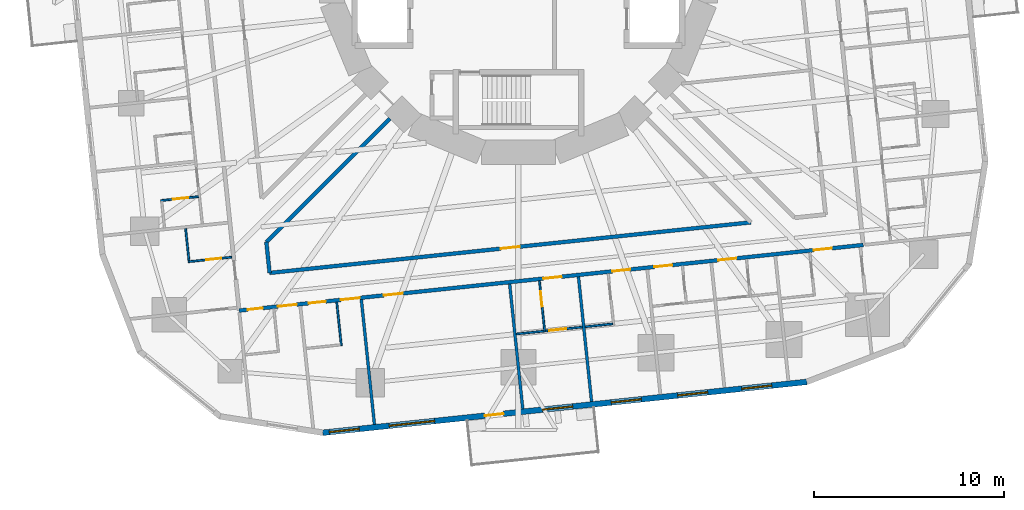
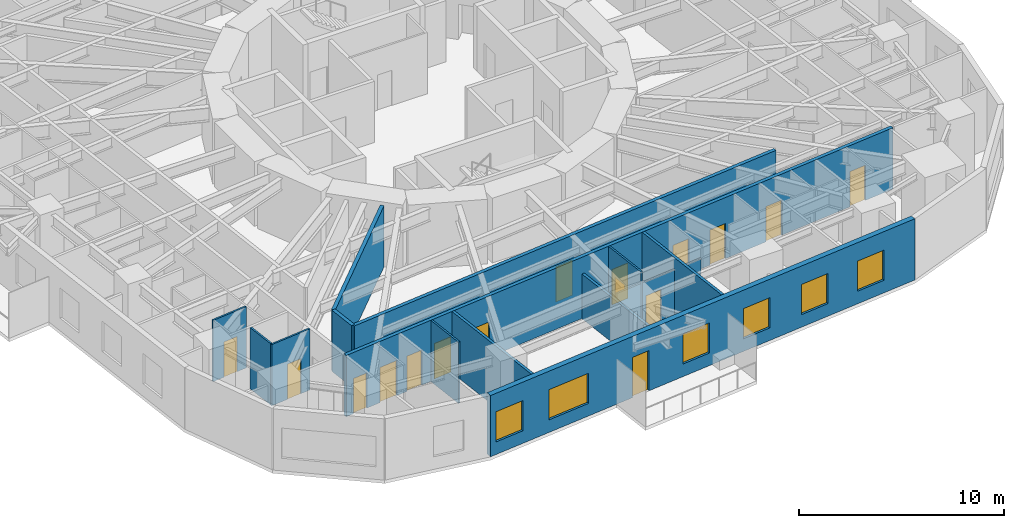
# One storey, part 5 of 15: 16 doors, 16 walls, 6 windows, 22 openings.
"""IFC4 building model written with IfcOpenShell, lengths in metres."""

from ifc_helpers import new_model, si_unit, direction, frame, frame_2d, origin, place, context, subcontext, project, spatial, rectangle, extrude, material, layer, layer_set, type_object, element, fill, save


model = new_model("IFC4")

# Units and contexts
model_context = context("Model", 3, precision=1e-05, world=origin(), true_north=direction((0.0, 1.0)))
body_context = subcontext(model_context, "Body", "Model", "MODEL_VIEW")
ifc_project = project(units=[si_unit("LENGTHUNIT", "METRE"), si_unit("AREAUNIT", "SQUARE_METRE"), si_unit("VOLUMEUNIT", "CUBIC_METRE"), si_unit("PLANEANGLEUNIT", "RADIAN"), si_unit("MASSUNIT", "GRAM", prefix="KILO")], contexts=[model_context])

# Site, building, storey
site_placement = place(None, origin())
site = spatial("IfcSite", under=ifc_project, at=site_placement, CompositionType="ELEMENT")
building_placement = place(site_placement, origin())
building = spatial("IfcBuilding", under=site, at=building_placement, Name="Nakasero Lantern House", CompositionType="ELEMENT")
storey_placement = place(building_placement, frame((0.0, 0.0, 68.199951171875)))
storey = spatial("IfcBuildingStorey", under=building, at=storey_placement, Name="L16", CompositionType="ELEMENT", Elevation=68.199951171875)

# Wall, openings, doors
ifc_material_1 = material(Name="Blockwork", Category="masonry")
ifc_layer_1 = layer(ifc_material_1, 0.199951171875)
ifc_layer_set_1 = layer_set([ifc_layer_1], Name="Corridor wall 200")
wall_type_1 = type_object("IfcWallType", Name="Corridor wall 200", PredefinedType="PARTITIONING", material=ifc_layer_set_1)
wall_1_placement = place(storey_placement, frame((-14.684814453125, -18.13427734375, 0.0), z_axis=(0.0, 0.0, 1.0), x_axis=(0.994521777723, 0.10452958258, 0.0)))
wall_1 = element("IfcWall", 1, at=wall_1_placement, inside=storey, type_object=wall_type_1, Name="Corridor wall L16 CW3", PredefinedType="PARTITIONING", context=body_context, shape_type="SweptSolid", body=[
    extrude(rectangle(XDim=32.999755859375, YDim=0.199951171875, at=frame_2d((16.5, 0.0))), origin(), (0.0, 0.0, 1.0), 3.650146484375),
])
opening_1_placement = place(wall_1_placement, frame((0.449951171875, 0.0, 0.0)))
opening_1 = element("IfcOpeningElement", 2, at=opening_1_placement, cuts=wall_1, Name="Opening D15", PredefinedType="OPENING", context=body_context, shape_type="SweptSolid", body=[
    extrude(rectangle(XDim=0.800048828125, YDim=2.10009765625, at=frame_2d((0.39990234375, 1.050048828125))), frame((0.0, 0.119873046875, 0.0), z_axis=(0.0, -1.0, 0.0), x_axis=(1.0, 0.0, 0.0)), (0.0, 0.0, 1.0), 0.239990234375),
])
opening_2_placement = place(wall_1_placement, frame((2.050048828125, 0.0, 0.0)))
opening_2 = element("IfcOpeningElement", 3, at=opening_2_placement, cuts=wall_1, Name="Opening D07", PredefinedType="OPENING", context=body_context, shape_type="SweptSolid", body=[
    extrude(rectangle(XDim=1.0, YDim=2.10009765625, at=frame_2d((0.5, 1.050048828125))), frame((0.0, 0.119873046875, 0.0), z_axis=(0.0, -1.0, 0.0), x_axis=(1.0, 0.0, 0.0)), (0.0, 0.0, 1.0), 0.239990234375),
])
opening_3_placement = place(wall_1_placement, frame((3.67529296875, 0.0, 0.0)))
opening_3 = element("IfcOpeningElement", 4, at=opening_3_placement, cuts=wall_1, Name="Opening D16", PredefinedType="OPENING", context=body_context, shape_type="SweptSolid", body=[
    extrude(rectangle(XDim=0.89990234375, YDim=2.10009765625, at=frame_2d((0.449951171875, 1.050048828125))), frame((0.0, 0.119873046875, 0.0), z_axis=(0.0, -1.0, 0.0), x_axis=(1.0, 0.0, 0.0)), (0.0, 0.0, 1.0), 0.239990234375),
])
opening_4_placement = place(wall_1_placement, frame((5.375244140625, 0.0, 0.0)))
opening_4 = element("IfcOpeningElement", 5, at=opening_4_placement, cuts=wall_1, Name="Opening D07", PredefinedType="OPENING", context=body_context, shape_type="SweptSolid", body=[
    extrude(rectangle(XDim=1.0, YDim=2.10009765625, at=frame_2d((0.5, 1.050048828125))), frame((0.0, 0.119873046875, 0.0), z_axis=(0.0, -1.0, 0.0), x_axis=(1.0, 0.0, 0.0)), (0.0, 0.0, 1.0), 0.239990234375),
])
opening_5_placement = place(wall_1_placement, frame((16.0927734375, 0.0, 0.0)))
opening_5 = element("IfcOpeningElement", 6, at=opening_5_placement, cuts=wall_1, Name="Opening D01", PredefinedType="OPENING", context=body_context, shape_type="SweptSolid", body=[
    extrude(rectangle(XDim=0.949951171875, YDim=2.10009765625, at=frame_2d((0.47509765625, 1.050048828125))), frame((0.0, 0.119873046875, 0.0), z_axis=(0.0, -1.0, 0.0), x_axis=(1.0, 0.0, 0.0)), (0.0, 0.0, 1.0), 0.239990234375),
])
opening_6_placement = place(wall_1_placement, frame((19.7314453125, 0.0, 0.0)))
opening_6 = element("IfcOpeningElement", 7, at=opening_6_placement, cuts=wall_1, Name="Opening D01", PredefinedType="OPENING", context=body_context, shape_type="SweptSolid", body=[
    extrude(rectangle(XDim=0.949951171875, YDim=2.10009765625, at=frame_2d((0.47509765625, 1.050048828125))), frame((0.0, 0.119873046875, 0.0), z_axis=(0.0, -1.0, 0.0), x_axis=(1.0, 0.0, 0.0)), (0.0, 0.0, 1.0), 0.239990234375),
])
opening_7_placement = place(wall_1_placement, frame((21.945068359375, 0.0, 0.0)))
opening_7 = element("IfcOpeningElement", 8, at=opening_7_placement, cuts=wall_1, Name="Opening D01", PredefinedType="OPENING", context=body_context, shape_type="SweptSolid", body=[
    extrude(rectangle(XDim=0.949951171875, YDim=2.10009765625, at=frame_2d((0.47509765625, 1.050048828125))), frame((0.0, 0.119873046875, 0.0), z_axis=(0.0, -1.0, 0.0), x_axis=(1.0, 0.0, 0.0)), (0.0, 0.0, 1.0), 0.239990234375),
])
opening_8_placement = place(wall_1_placement, frame((25.33056640625, 0.0, 0.0)))
opening_8 = element("IfcOpeningElement", 9, at=opening_8_placement, cuts=wall_1, Name="Opening D01", PredefinedType="OPENING", context=body_context, shape_type="SweptSolid", body=[
    extrude(rectangle(XDim=0.949951171875, YDim=2.10009765625, at=frame_2d((0.47509765625, 1.050048828125))), frame((0.0, 0.119873046875, 0.0), z_axis=(0.0, -1.0, 0.0), x_axis=(1.0, 0.0, 0.0)), (0.0, 0.0, 1.0), 0.239990234375),
])
opening_9_placement = place(wall_1_placement, frame((30.39111328125, 0.0, 0.0)))
opening_9 = element("IfcOpeningElement", 10, at=opening_9_placement, cuts=wall_1, Name="Opening D01", PredefinedType="OPENING", context=body_context, shape_type="SweptSolid", body=[
    extrude(rectangle(XDim=0.949951171875, YDim=2.10009765625, at=frame_2d((0.47509765625, 1.050048828125))), frame((0.0, 0.119873046875, 0.0), z_axis=(0.0, -1.0, 0.0), x_axis=(1.0, 0.0, 0.0)), (0.0, 0.0, 1.0), 0.239990234375),
])
opening_10_placement = place(wall_1_placement, frame((7.650634765625, 0.0, 0.0)))
opening_10 = element("IfcOpeningElement", 11, at=opening_10_placement, cuts=wall_1, Name="Opening D03", PredefinedType="OPENING", context=body_context, shape_type="SweptSolid", body=[
    extrude(rectangle(XDim=1.0, YDim=2.10009765625, at=frame_2d((0.5, 1.050048828125))), frame((0.0, 0.119873046875, 0.0), z_axis=(0.0, -1.0, 0.0), x_axis=(1.0, 0.0, 0.0)), (0.0, 0.0, 1.0), 0.239990234375),
])
ifc_material_2 = material(Name="Timber C24", Category="wood")
door_type_1 = type_object("IfcDoorType", Name="Accessible WC door 900", OperationType="SINGLE_SWING_RIGHT", PredefinedType="DOOR", material=ifc_material_2)
door_1_placement = place(opening_3_placement, origin())
door_1 = element("IfcDoor", 12, at=door_1_placement, inside=storey, type_object=door_type_1, Name="Door L16 DS3-01", OperationType="SINGLE_SWING_LEFT", OverallHeight=2.10009765625, OverallWidth=0.89990234375, PredefinedType="DOOR", context=body_context, shape_type="SweptSolid", body=[
    extrude(rectangle(XDim=0.89990234375, YDim=2.10009765625, at=frame_2d((0.449951171875, 1.050048828125))), frame((0.0, 0.02490234375, 0.0), z_axis=(0.0, -1.0, 0.0), x_axis=(1.0, 0.0, 0.0)), (0.0, 0.0, 1.0), 0.050048828125),
])
fill(opening_3, door_1)
ifc_material_3 = material(Name="Timber C24", Category="wood")
door_type_2 = type_object("IfcDoorType", Name="Bedroom door FD30S 950", OperationType="SINGLE_SWING_LEFT", PredefinedType="DOOR", material=ifc_material_3)
door_2_placement = place(opening_5_placement, origin())
door_2 = element("IfcDoor", 13, at=door_2_placement, inside=storey, type_object=door_type_2, Name="Door L16 D3-04", OperationType="SINGLE_SWING_RIGHT", OverallHeight=2.10009765625, OverallWidth=0.949951171875, PredefinedType="DOOR", context=body_context, shape_type="SweptSolid", body=[
    extrude(rectangle(XDim=0.949951171875, YDim=2.10009765625, at=frame_2d((0.47509765625, 1.050048828125))), frame((0.0, 0.02490234375, 0.0), z_axis=(0.0, -1.0, 0.0), x_axis=(1.0, 0.0, 0.0)), (0.0, 0.0, 1.0), 0.050048828125),
])
fill(opening_5, door_2)
door_3_placement = place(opening_6_placement, origin())
door_3 = element("IfcDoor", 14, at=door_3_placement, inside=storey, type_object=door_type_2, Name="Door L16 D3-05", OperationType="SINGLE_SWING_RIGHT", OverallHeight=2.10009765625, OverallWidth=0.949951171875, PredefinedType="DOOR", context=body_context, shape_type="SweptSolid", body=[
    extrude(rectangle(XDim=0.949951171875, YDim=2.10009765625, at=frame_2d((0.47509765625, 1.050048828125))), frame((0.0, 0.02490234375, 0.0), z_axis=(0.0, -1.0, 0.0), x_axis=(1.0, 0.0, 0.0)), (0.0, 0.0, 1.0), 0.050048828125),
])
fill(opening_6, door_3)
door_4_placement = place(opening_7_placement, origin())
door_4 = element("IfcDoor", 15, at=door_4_placement, inside=storey, type_object=door_type_2, Name="Door L16 D3-06", OperationType="SINGLE_SWING_RIGHT", OverallHeight=2.10009765625, OverallWidth=0.949951171875, PredefinedType="DOOR", context=body_context, shape_type="SweptSolid", body=[
    extrude(rectangle(XDim=0.949951171875, YDim=2.10009765625, at=frame_2d((0.47509765625, 1.050048828125))), frame((0.0, 0.02490234375, 0.0), z_axis=(0.0, -1.0, 0.0), x_axis=(1.0, 0.0, 0.0)), (0.0, 0.0, 1.0), 0.050048828125),
])
fill(opening_7, door_4)
door_5_placement = place(opening_8_placement, origin())
door_5 = element("IfcDoor", 16, at=door_5_placement, inside=storey, type_object=door_type_2, Name="Door L16 D3-07", OperationType="SINGLE_SWING_RIGHT", OverallHeight=2.10009765625, OverallWidth=0.949951171875, PredefinedType="DOOR", context=body_context, shape_type="SweptSolid", body=[
    extrude(rectangle(XDim=0.949951171875, YDim=2.10009765625, at=frame_2d((0.47509765625, 1.050048828125))), frame((0.0, 0.02490234375, 0.0), z_axis=(0.0, -1.0, 0.0), x_axis=(1.0, 0.0, 0.0)), (0.0, 0.0, 1.0), 0.050048828125),
])
fill(opening_8, door_5)
door_6_placement = place(opening_9_placement, origin())
door_6 = element("IfcDoor", 17, at=door_6_placement, inside=storey, type_object=door_type_2, Name="Door L16 D3-08", OperationType="SINGLE_SWING_RIGHT", OverallHeight=2.10009765625, OverallWidth=0.949951171875, PredefinedType="DOOR", context=body_context, shape_type="SweptSolid", body=[
    extrude(rectangle(XDim=0.949951171875, YDim=2.10009765625, at=frame_2d((0.47509765625, 1.050048828125))), frame((0.0, 0.02490234375, 0.0), z_axis=(0.0, -1.0, 0.0), x_axis=(1.0, 0.0, 0.0)), (0.0, 0.0, 1.0), 0.050048828125),
])
fill(opening_9, door_6)
ifc_material_4 = material(Name="Timber C24", Category="wood")
door_type_3 = type_object("IfcDoorType", Name="Cleaner's store door FD30S 800", OperationType="SINGLE_SWING_LEFT", PredefinedType="DOOR", material=ifc_material_4)
door_7_placement = place(opening_1_placement, origin())
door_7 = element("IfcDoor", 18, at=door_7_placement, inside=storey, type_object=door_type_3, Name="Door L16 DS3-00", OperationType="SINGLE_SWING_LEFT", OverallHeight=2.10009765625, OverallWidth=0.800048828125, PredefinedType="DOOR", context=body_context, shape_type="SweptSolid", body=[
    extrude(rectangle(XDim=0.800048828125, YDim=2.10009765625, at=frame_2d((0.39990234375, 1.050048828125))), frame((0.0, 0.02490234375, 0.0), z_axis=(0.0, -1.0, 0.0), x_axis=(1.0, 0.0, 0.0)), (0.0, 0.0, 1.0), 0.050048828125),
])
fill(opening_1, door_7)
ifc_material_5 = material(Name="Timber C24", Category="wood")
door_type_4 = type_object("IfcDoorType", Name="Lounge door FD30S 1000", OperationType="SINGLE_SWING_LEFT", PredefinedType="DOOR", material=ifc_material_5)
door_8_placement = place(opening_10_placement, origin())
door_8 = element("IfcDoor", 19, at=door_8_placement, inside=storey, type_object=door_type_4, Name="Door L16 DK3", OperationType="SINGLE_SWING_LEFT", OverallHeight=2.10009765625, OverallWidth=1.0, PredefinedType="DOOR", context=body_context, shape_type="SweptSolid", body=[
    extrude(rectangle(XDim=1.0, YDim=2.10009765625, at=frame_2d((0.5, 1.050048828125))), frame((0.0, 0.02490234375, 0.0), z_axis=(0.0, -1.0, 0.0), x_axis=(1.0, 0.0, 0.0)), (0.0, 0.0, 1.0), 0.050048828125),
])
fill(opening_10, door_8)
ifc_material_6 = material(Name="Timber C24", Category="wood")
door_type_5 = type_object("IfcDoorType", Name="Room door FD30S 1000", OperationType="SINGLE_SWING_LEFT", PredefinedType="DOOR", material=ifc_material_6)
door_9_placement = place(opening_2_placement, origin())
door_9 = element("IfcDoor", 20, at=door_9_placement, inside=storey, type_object=door_type_5, Name="Door L16 D3-00", OperationType="SINGLE_SWING_LEFT", OverallHeight=2.10009765625, OverallWidth=1.0, PredefinedType="DOOR", context=body_context, shape_type="SweptSolid", body=[
    extrude(rectangle(XDim=1.0, YDim=2.10009765625, at=frame_2d((0.5, 1.050048828125))), frame((0.0, 0.02490234375, 0.0), z_axis=(0.0, -1.0, 0.0), x_axis=(1.0, 0.0, 0.0)), (0.0, 0.0, 1.0), 0.050048828125),
])
fill(opening_2, door_9)
door_10_placement = place(opening_4_placement, origin())
door_10 = element("IfcDoor", 21, at=door_10_placement, inside=storey, type_object=door_type_5, Name="Door L16 D3-01", OperationType="SINGLE_SWING_LEFT", OverallHeight=2.10009765625, OverallWidth=1.0, PredefinedType="DOOR", context=body_context, shape_type="SweptSolid", body=[
    extrude(rectangle(XDim=1.0, YDim=2.10009765625, at=frame_2d((0.5, 1.050048828125))), frame((0.0, 0.02490234375, 0.0), z_axis=(0.0, -1.0, 0.0), x_axis=(1.0, 0.0, 0.0)), (0.0, 0.0, 1.0), 0.050048828125),
])
fill(opening_4, door_10)

# Wall
wall_2_placement = place(storey_placement, frame((-13.254150390625, -14.52685546875, 0.0), z_axis=(0.0, 0.0, 1.0), x_axis=(0.104475313001, -0.99452748025, 0.0)))
element("IfcWall", 22, at=wall_2_placement, inside=storey, type_object=wall_type_1, Name="Corridor wall L16 IW2-1", PredefinedType="PARTITIONING", context=body_context, shape_type="SweptSolid", body=[
    extrude(rectangle(XDim=1.63818359375, YDim=0.199951171875, at=frame_2d((0.819091796875, 0.0))), origin(), (0.0, 0.0, 1.0), 3.650146484375),
])

# Wall, opening, door
wall_3_placement = place(storey_placement, frame((-13.0830078125, -16.156005859375, 0.0), z_axis=(0.0, 0.0, 1.0), x_axis=(0.994522473358, 0.104522963916, 0.0)))
wall_3 = element("IfcWall", 23, at=wall_3_placement, inside=storey, type_object=wall_type_1, Name="Corridor wall L16 IW3-0", PredefinedType="PARTITIONING", context=body_context, shape_type="SweptSolid", body=[
    extrude(rectangle(XDim=25.44580078125, YDim=0.199951171875, at=frame_2d((12.722900390625, 0.0))), origin(), (0.0, 0.0, 1.0), 3.650146484375),
])
opening_11_placement = place(wall_3_placement, frame((12.222900390625, 0.0, 0.0)))
opening_11 = element("IfcOpeningElement", 24, at=opening_11_placement, cuts=wall_3, Name="Opening D07", PredefinedType="OPENING", context=body_context, shape_type="SweptSolid", body=[
    extrude(rectangle(XDim=1.0, YDim=2.10009765625, at=frame_2d((0.5, 1.050048828125))), frame((0.0, 0.119873046875, 0.0), z_axis=(0.0, -1.0, 0.0), x_axis=(1.0, 0.0, 0.0)), (0.0, 0.0, 1.0), 0.239990234375),
])
door_11_placement = place(opening_11_placement, origin())
door_11 = element("IfcDoor", 25, at=door_11_placement, inside=storey, type_object=door_type_5, Name="Door L16 DI3", OperationType="SINGLE_SWING_RIGHT", OverallHeight=2.10009765625, OverallWidth=1.0, PredefinedType="DOOR", context=body_context, shape_type="SweptSolid", body=[
    extrude(rectangle(XDim=1.0, YDim=2.10009765625, at=frame_2d((0.5, 1.050048828125))), frame((0.0, 0.02490234375, 0.0), z_axis=(0.0, -1.0, 0.0), x_axis=(1.0, 0.0, 0.0)), (0.0, 0.0, 1.0), 0.050048828125),
])
fill(opening_11, door_11)

# Wall
wall_4_placement = place(storey_placement, frame((-6.758544921875, -8.03125, 0.0), z_axis=(0.0, 0.0, 1.0), x_axis=(-0.707106781187, -0.707106781187, 0.0)))
element("IfcWall", 26, at=wall_4_placement, inside=storey, type_object=wall_type_1, Name="Corridor wall L16 PS10a", PredefinedType="PARTITIONING", context=body_context, shape_type="SweptSolid", body=[
    extrude(rectangle(XDim=9.186279296875, YDim=0.199951171875, at=frame_2d((4.59326171875, 0.0))), origin(), (0.0, 0.0, 1.0), 3.650146484375),
])

# Wall, opening, door
ifc_material_7 = material(Name="Blockwork", Category="masonry")
ifc_layer_2 = layer(ifc_material_7, 0.10009765625)
ifc_layer_set_2 = layer_set([ifc_layer_2], Name="En-suite wall 100")
wall_type_2 = type_object("IfcWallType", Name="En-suite wall 100", PredefinedType="PARTITIONING", material=ifc_layer_set_2)
wall_5_placement = place(storey_placement, frame((-16.822998046875, -12.14111328125, 0.0), z_axis=(0.0, 0.0, 1.0), x_axis=(-0.99452550138, -0.104494148666, 0.0)))
wall_5 = element("IfcWall", 27, at=wall_5_placement, inside=storey, type_object=wall_type_2, Name="En-suite wall L16 ES2-07", PredefinedType="PARTITIONING", context=body_context, shape_type="SweptSolid", body=[
    extrude(rectangle(XDim=2.0, YDim=0.10009765625, at=frame_2d((1.0, 0.0))), origin(), (0.0, 0.0, 1.0), 3.650146484375),
])
opening_12_placement = place(wall_5_placement, frame((0.550048828125, 0.0, 0.0)))
opening_12 = element("IfcOpeningElement", 28, at=opening_12_placement, cuts=wall_5, Name="Opening D02", PredefinedType="OPENING", context=body_context, shape_type="SweptSolid", body=[
    extrude(rectangle(XDim=0.800048828125, YDim=2.10009765625, at=frame_2d((0.39990234375, 1.050048828125))), frame((0.0, 0.070068359375, 0.0), z_axis=(0.0, -1.0, 0.0), x_axis=(1.0, 0.0, 0.0)), (0.0, 0.0, 1.0), 0.14013671875),
])
ifc_material_8 = material(Name="Timber C24", Category="wood")
door_type_6 = type_object("IfcDoorType", Name="En-suite door 800", OperationType="SINGLE_SWING_RIGHT", PredefinedType="DOOR", material=ifc_material_8)
door_12_placement = place(opening_12_placement, origin())
door_12 = element("IfcDoor", 29, at=door_12_placement, inside=storey, type_object=door_type_6, Name="Door L16 DE2-07", OperationType="SINGLE_SWING_LEFT", OverallHeight=2.10009765625, OverallWidth=0.800048828125, PredefinedType="DOOR", context=body_context, shape_type="SweptSolid", body=[
    extrude(rectangle(XDim=0.800048828125, YDim=2.10009765625, at=frame_2d((0.39990234375, 1.050048828125))), frame((0.0, 0.02490234375, 0.0), z_axis=(0.0, -1.0, 0.0), x_axis=(1.0, 0.0, 0.0)), (0.0, 0.0, 1.0), 0.050048828125),
])
fill(opening_12, door_12)

wall_6_placement = place(storey_placement, frame((-15.08056640625, -15.326416015625, 0.0), z_axis=(0.0, 0.0, 1.0), x_axis=(-0.994518822602, -0.104557694553, 0.0)))
wall_6 = element("IfcWall", 30, at=wall_6_placement, inside=storey, type_object=wall_type_2, Name="En-suite wall L16 ES2-08", PredefinedType="PARTITIONING", context=body_context, shape_type="SweptSolid", body=[
    extrude(rectangle(XDim=2.300048828125, YDim=0.10009765625, at=frame_2d((1.14990234375, 0.0))), origin(), (0.0, 0.0, 1.0), 3.650146484375),
])
opening_13_placement = place(wall_6_placement, frame((0.550048828125, 0.0, 0.0)))
opening_13 = element("IfcOpeningElement", 31, at=opening_13_placement, cuts=wall_6, Name="Opening D02", PredefinedType="OPENING", context=body_context, shape_type="SweptSolid", body=[
    extrude(rectangle(XDim=0.800048828125, YDim=2.10009765625, at=frame_2d((0.39990234375, 1.050048828125))), frame((0.0, 0.070068359375, 0.0), z_axis=(0.0, -1.0, 0.0), x_axis=(1.0, 0.0, 0.0)), (0.0, 0.0, 1.0), 0.14013671875),
])
door_13_placement = place(opening_13_placement, origin())
door_13 = element("IfcDoor", 32, at=door_13_placement, inside=storey, type_object=door_type_6, Name="Door L16 DE2-08", OperationType="SINGLE_SWING_LEFT", OverallHeight=2.10009765625, OverallWidth=0.800048828125, PredefinedType="DOOR", context=body_context, shape_type="SweptSolid", body=[
    extrude(rectangle(XDim=0.800048828125, YDim=2.10009765625, at=frame_2d((0.39990234375, 1.050048828125))), frame((0.0, 0.02490234375, 0.0), z_axis=(0.0, -1.0, 0.0), x_axis=(1.0, 0.0, 0.0)), (0.0, 0.0, 1.0), 0.050048828125),
])
fill(opening_13, door_13)

# Walls
wall_7_placement = place(storey_placement, frame((-17.501220703125, -13.8212890625, 0.0), z_axis=(0.0, 0.0, 1.0), x_axis=(0.104550220202, -0.994519608382, 0.0)))
element("IfcWall", 33, at=wall_7_placement, inside=storey, type_object=wall_type_2, Name="En-suite wall L16 EE2-08", PredefinedType="PARTITIONING", context=body_context, shape_type="SweptSolid", body=[
    extrude(rectangle(XDim=1.699951171875, YDim=0.10009765625, at=frame_2d((0.85009765625, 0.0))), origin(), (0.0, 0.0, 1.0), 3.650146484375),
])
wall_8_placement = place(storey_placement, frame((-9.55224609375, -17.6953125, 0.0), z_axis=(0.0, 0.0, 1.0), x_axis=(0.104441677364, -0.994531013106, 0.0)))
element("IfcWall", 34, at=wall_8_placement, inside=storey, type_object=wall_type_2, Name="En-suite wall L16 ES3-01", PredefinedType="PARTITIONING", context=body_context, shape_type="SweptSolid", body=[
    extrude(rectangle(XDim=2.30029296875, YDim=0.10009765625, at=frame_2d((1.150146484375, 0.0))), origin(), (0.0, 0.0, 1.0), 3.650146484375),
])

# Wall, opening, door
wall_9_placement = place(storey_placement, frame((1.1064453125, -16.5751953125, 0.0), z_axis=(0.0, 0.0, 1.0), x_axis=(0.104534153452, -0.994521297289, 0.0)))
wall_9 = element("IfcWall", 35, at=wall_9_placement, inside=storey, type_object=wall_type_2, Name="En-suite wall L16 ES3-04", PredefinedType="PARTITIONING", context=body_context, shape_type="SweptSolid", body=[
    extrude(rectangle(XDim=2.699951171875, YDim=0.10009765625, at=frame_2d((1.35009765625, 0.0))), origin(), (0.0, 0.0, 1.0), 3.650146484375),
])
opening_14_placement = place(wall_9_placement, frame((0.550048828125, 0.0, 0.0)))
opening_14 = element("IfcOpeningElement", 36, at=opening_14_placement, cuts=wall_9, Name="Opening D02", PredefinedType="OPENING", context=body_context, shape_type="SweptSolid", body=[
    extrude(rectangle(XDim=0.800048828125, YDim=2.10009765625, at=frame_2d((0.39990234375, 1.050048828125))), frame((0.0, 0.070068359375, 0.0), z_axis=(0.0, -1.0, 0.0), x_axis=(1.0, 0.0, 0.0)), (0.0, 0.0, 1.0), 0.14013671875),
])
door_14_placement = place(opening_14_placement, origin())
door_14 = element("IfcDoor", 37, at=door_14_placement, inside=storey, type_object=door_type_6, Name="Door L16 DE3-04", OperationType="SINGLE_SWING_LEFT", OverallHeight=2.10009765625, OverallWidth=0.800048828125, PredefinedType="DOOR", context=body_context, shape_type="SweptSolid", body=[
    extrude(rectangle(XDim=0.800048828125, YDim=2.10009765625, at=frame_2d((0.39990234375, 1.050048828125))), frame((0.0, 0.02490234375, 0.0), z_axis=(0.0, -1.0, 0.0), x_axis=(1.0, 0.0, 0.0)), (0.0, 0.0, 1.0), 0.050048828125),
])
fill(opening_14, door_14)

# Walls
for number, where, z_axis, x_axis, name in (
    (38, (-0.1083984375, -19.367431640625, 0.0), (0.0, 0.0, 1.0), (0.994519282274, 0.10455332221, 0.0), "En-suite wall L16 EE3-04"),
    (39, (3.51025390625, -18.987060546875, 0.0), (0.0, 0.0, 1.0), (0.994519282274, 0.10455332221, 0.0), "En-suite wall L16 EE3-05"),
):
    element("IfcWall", number, at=place(storey_placement, frame(where, z_axis=z_axis, x_axis=x_axis)), inside=storey, type_object=wall_type_2, Name=name, PredefinedType="PARTITIONING", context=body_context, shape_type="SweptSolid", body=[
        extrude(rectangle(XDim=1.4501953125, YDim=0.10009765625, at=frame_2d((0.72509765625, 0.0))), origin(), (0.0, 0.0, 1.0), 2.95703125),
    ])

# Wall, opening, door
wall_10_placement = place(storey_placement, frame((1.43310546875, -19.205322265625, 0.0), z_axis=(0.0, 0.0, 1.0), x_axis=(0.994522002013, 0.10452744861, 0.0)))
wall_10 = element("IfcWall", 40, at=wall_10_placement, inside=storey, type_object=wall_type_2, Name="En-suite wall L16 EL3-04", PredefinedType="PARTITIONING", context=body_context, shape_type="SweptSolid", body=[
    extrude(rectangle(XDim=1.9384765625, YDim=0.10009765625, at=frame_2d((0.96923828125, 0.0))), origin(), (0.0, 0.0, 1.0), 2.95703125),
])
opening_15_placement = place(wall_10_placement, frame((0.199951171875, 0.0, 0.0)))
opening_15 = element("IfcOpeningElement", 41, at=opening_15_placement, cuts=wall_10, Name="Opening D17", PredefinedType="OPENING", context=body_context, shape_type="SweptSolid", body=[
    extrude(rectangle(XDim=0.89990234375, YDim=2.10009765625, at=frame_2d((0.449951171875, 1.050048828125))), frame((0.0, 0.070068359375, 0.0), z_axis=(0.0, -1.0, 0.0), x_axis=(1.0, 0.0, 0.0)), (0.0, 0.0, 1.0), 0.14013671875),
])
ifc_material_9 = material(Name="Timber C24", Category="wood")
door_type_7 = type_object("IfcDoorType", Name="Bedroom door FD30S 900", OperationType="SINGLE_SWING_LEFT", PredefinedType="DOOR", material=ifc_material_9)
door_15_placement = place(opening_15_placement, origin())
door_15 = element("IfcDoor", 42, at=door_15_placement, inside=storey, type_object=door_type_7, Name="Door L16 DL3-04", OperationType="SINGLE_SWING_LEFT", OverallHeight=2.10009765625, OverallWidth=0.89990234375, PredefinedType="DOOR", context=body_context, shape_type="SweptSolid", body=[
    extrude(rectangle(XDim=0.89990234375, YDim=2.10009765625, at=frame_2d((0.449951171875, 1.050048828125))), frame((0.0, 0.02490234375, 0.0), z_axis=(0.0, -1.0, 0.0), x_axis=(1.0, 0.0, 0.0)), (0.0, 0.0, 1.0), 0.050048828125),
])
fill(opening_15, door_15)

# Wall, openings, door, windows
ifc_material_10 = material(Name="Aluminium rainscreen on blockwork", Category="masonry")
ifc_layer_3 = layer(ifc_material_10, 0.300048828125)
ifc_layer_set_3 = layer_set([ifc_layer_3], Name="Facade wall 300")
wall_type_3 = type_object("IfcWallType", Name="Facade wall 300", PredefinedType="SOLIDWALL", material=ifc_layer_set_3)
wall_11_placement = place(storey_placement, frame((-10.2890625, -24.56005859375, 0.0), z_axis=(0.0, 0.0, 1.0), x_axis=(0.994521483895, 0.104532378096, 0.0)))
wall_11 = element("IfcWall", 43, at=wall_11_placement, inside=storey, type_object=wall_type_3, Name="Facade wall L16 FW3S", PredefinedType="SOLIDWALL", context=body_context, shape_type="SweptSolid", body=[
    extrude(rectangle(XDim=25.599853515625, YDim=0.300048828125, at=frame_2d((12.7998046875, 0.0))), origin(), (0.0, 0.0, 1.0), 3.650146484375),
])
opening_16_placement = place(wall_11_placement, frame((0.337890625, 0.0, 0.75)))
opening_16 = element("IfcOpeningElement", 44, at=opening_16_placement, cuts=wall_11, Name="Opening W01", PredefinedType="OPENING", context=body_context, shape_type="SweptSolid", body=[
    extrude(rectangle(XDim=1.60009765625, YDim=1.800048828125, at=frame_2d((0.800048828125, 0.89990234375))), frame((0.0, 0.169921875, 0.0), z_axis=(0.0, -1.0, 0.0), x_axis=(1.0, 0.0, 0.0)), (0.0, 0.0, 1.0), 0.340087890625),
])
opening_17_placement = place(wall_11_placement, frame((11.612060546875, 0.0, 0.75)))
opening_17 = element("IfcOpeningElement", 45, at=opening_17_placement, cuts=wall_11, Name="Opening W01", PredefinedType="OPENING", context=body_context, shape_type="SweptSolid", body=[
    extrude(rectangle(XDim=1.60009765625, YDim=1.800048828125, at=frame_2d((0.800048828125, 0.89990234375))), frame((0.0, 0.169921875, 0.0), z_axis=(0.0, -1.0, 0.0), x_axis=(1.0, 0.0, 0.0)), (0.0, 0.0, 1.0), 0.340087890625),
])
opening_18_placement = place(wall_11_placement, frame((15.250732421875, 0.0, 0.75)))
opening_18 = element("IfcOpeningElement", 46, at=opening_18_placement, cuts=wall_11, Name="Opening W01", PredefinedType="OPENING", context=body_context, shape_type="SweptSolid", body=[
    extrude(rectangle(XDim=1.60009765625, YDim=1.800048828125, at=frame_2d((0.800048828125, 0.89990234375))), frame((0.0, 0.169921875, 0.0), z_axis=(0.0, -1.0, 0.0), x_axis=(1.0, 0.0, 0.0)), (0.0, 0.0, 1.0), 0.340087890625),
])
opening_19_placement = place(wall_11_placement, frame((18.7626953125, 0.0, 0.75)))
opening_19 = element("IfcOpeningElement", 47, at=opening_19_placement, cuts=wall_11, Name="Opening W01", PredefinedType="OPENING", context=body_context, shape_type="SweptSolid", body=[
    extrude(rectangle(XDim=1.60009765625, YDim=1.800048828125, at=frame_2d((0.800048828125, 0.89990234375))), frame((0.0, 0.169921875, 0.0), z_axis=(0.0, -1.0, 0.0), x_axis=(1.0, 0.0, 0.0)), (0.0, 0.0, 1.0), 0.340087890625),
])
opening_20_placement = place(wall_11_placement, frame((22.1484375, 0.0, 0.75)))
opening_20 = element("IfcOpeningElement", 48, at=opening_20_placement, cuts=wall_11, Name="Opening W01", PredefinedType="OPENING", context=body_context, shape_type="SweptSolid", body=[
    extrude(rectangle(XDim=1.60009765625, YDim=1.800048828125, at=frame_2d((0.800048828125, 0.89990234375))), frame((0.0, 0.169921875, 0.0), z_axis=(0.0, -1.0, 0.0), x_axis=(1.0, 0.0, 0.0)), (0.0, 0.0, 1.0), 0.340087890625),
])
opening_21_placement = place(wall_11_placement, frame((3.51123046875, 0.0, 0.75)))
opening_21 = element("IfcOpeningElement", 49, at=opening_21_placement, cuts=wall_11, Name="Opening W03", PredefinedType="OPENING", context=body_context, shape_type="SweptSolid", body=[
    extrude(rectangle(XDim=2.39990234375, YDim=1.800048828125, at=frame_2d((1.199951171875, 0.89990234375))), frame((0.0, 0.169921875, 0.0), z_axis=(0.0, -1.0, 0.0), x_axis=(1.0, 0.0, 0.0)), (0.0, 0.0, 1.0), 0.340087890625),
])
opening_22_placement = place(wall_11_placement, frame((8.558837890625, 0.0, 0.0)))
opening_22 = element("IfcOpeningElement", 50, at=opening_22_placement, cuts=wall_11, Name="Opening D04", PredefinedType="OPENING", context=body_context, shape_type="SweptSolid", body=[
    extrude(rectangle(XDim=1.0, YDim=2.39990234375, at=frame_2d((0.5, 1.199951171875))), frame((0.0, 0.169921875, 0.0), z_axis=(0.0, -1.0, 0.0), x_axis=(1.0, 0.0, 0.0)), (0.0, 0.0, 1.0), 0.340087890625),
])
ifc_material_11 = material(Name="Aluminium 6063-T6 and glass", Category="aluminium")
door_type_8 = type_object("IfcDoorType", Name="Balcony door 1000x2400", OperationType="SINGLE_SWING_RIGHT", PredefinedType="DOOR", material=ifc_material_11)
door_16_placement = place(opening_22_placement, origin())
door_16 = element("IfcDoor", 51, at=door_16_placement, inside=storey, type_object=door_type_8, Name="Balcony door L16 DB3", OperationType="SINGLE_SWING_RIGHT", OverallHeight=2.39990234375, OverallWidth=1.0, PredefinedType="DOOR", context=body_context, shape_type="SweptSolid", body=[
    extrude(rectangle(XDim=1.0, YDim=2.39990234375, at=frame_2d((0.5, 1.199951171875))), frame((0.0, 0.02490234375, 0.0), z_axis=(0.0, -1.0, 0.0), x_axis=(1.0, 0.0, 0.0)), (0.0, 0.0, 1.0), 0.050048828125),
])
fill(opening_22, door_16)
ifc_material_12 = material(Name="Aluminium 6063-T6 and glass", Category="aluminium")
window_type_1 = type_object("IfcWindowType", Name="Bedroom window 1600x1800", PartitioningType="SINGLE_PANEL", PredefinedType="WINDOW", material=ifc_material_12)
window_1_placement = place(opening_16_placement, origin())
window_1 = element("IfcWindow", 52, at=window_1_placement, inside=storey, type_object=window_type_1, Name="Window L16 WN3-01", OverallHeight=1.800048828125, OverallWidth=1.60009765625, PartitioningType="SINGLE_PANEL", PredefinedType="WINDOW", context=body_context, shape_type="SweptSolid", body=[
    extrude(rectangle(XDim=1.60009765625, YDim=1.800048828125, at=frame_2d((0.800048828125, 0.89990234375))), frame((0.0, 0.030029296875, 0.0), z_axis=(0.0, -1.0, 0.0), x_axis=(1.0, 0.0, 0.0)), (0.0, 0.0, 1.0), 0.06005859375),
])
fill(opening_16, window_1)
window_2_placement = place(opening_17_placement, origin())
window_2 = element("IfcWindow", 53, at=window_2_placement, inside=storey, type_object=window_type_1, Name="Window L16 WN3-04", OverallHeight=1.800048828125, OverallWidth=1.60009765625, PartitioningType="SINGLE_PANEL", PredefinedType="WINDOW", context=body_context, shape_type="SweptSolid", body=[
    extrude(rectangle(XDim=1.60009765625, YDim=1.800048828125, at=frame_2d((0.800048828125, 0.89990234375))), frame((0.0, 0.030029296875, 0.0), z_axis=(0.0, -1.0, 0.0), x_axis=(1.0, 0.0, 0.0)), (0.0, 0.0, 1.0), 0.06005859375),
])
fill(opening_17, window_2)
window_3_placement = place(opening_18_placement, origin())
window_3 = element("IfcWindow", 54, at=window_3_placement, inside=storey, type_object=window_type_1, Name="Window L16 WN3-05", OverallHeight=1.800048828125, OverallWidth=1.60009765625, PartitioningType="SINGLE_PANEL", PredefinedType="WINDOW", context=body_context, shape_type="SweptSolid", body=[
    extrude(rectangle(XDim=1.60009765625, YDim=1.800048828125, at=frame_2d((0.800048828125, 0.89990234375))), frame((0.0, 0.030029296875, 0.0), z_axis=(0.0, -1.0, 0.0), x_axis=(1.0, 0.0, 0.0)), (0.0, 0.0, 1.0), 0.06005859375),
])
fill(opening_18, window_3)
window_4_placement = place(opening_19_placement, origin())
window_4 = element("IfcWindow", 55, at=window_4_placement, inside=storey, type_object=window_type_1, Name="Window L16 WN3-06", OverallHeight=1.800048828125, OverallWidth=1.60009765625, PartitioningType="SINGLE_PANEL", PredefinedType="WINDOW", context=body_context, shape_type="SweptSolid", body=[
    extrude(rectangle(XDim=1.60009765625, YDim=1.800048828125, at=frame_2d((0.800048828125, 0.89990234375))), frame((0.0, 0.030029296875, 0.0), z_axis=(0.0, -1.0, 0.0), x_axis=(1.0, 0.0, 0.0)), (0.0, 0.0, 1.0), 0.06005859375),
])
fill(opening_19, window_4)
window_5_placement = place(opening_20_placement, origin())
window_5 = element("IfcWindow", 56, at=window_5_placement, inside=storey, type_object=window_type_1, Name="Window L16 WN3-07", OverallHeight=1.800048828125, OverallWidth=1.60009765625, PartitioningType="SINGLE_PANEL", PredefinedType="WINDOW", context=body_context, shape_type="SweptSolid", body=[
    extrude(rectangle(XDim=1.60009765625, YDim=1.800048828125, at=frame_2d((0.800048828125, 0.89990234375))), frame((0.0, 0.030029296875, 0.0), z_axis=(0.0, -1.0, 0.0), x_axis=(1.0, 0.0, 0.0)), (0.0, 0.0, 1.0), 0.06005859375),
])
fill(opening_20, window_5)
ifc_material_13 = material(Name="Aluminium 6063-T6 and glass", Category="aluminium")
window_type_2 = type_object("IfcWindowType", Name="Lounge window 2400x1800", PartitioningType="SINGLE_PANEL", PredefinedType="WINDOW", material=ifc_material_13)
window_6_placement = place(opening_21_placement, origin())
window_6 = element("IfcWindow", 57, at=window_6_placement, inside=storey, type_object=window_type_2, Name="Window L16 WK3", OverallHeight=1.800048828125, OverallWidth=2.39990234375, PartitioningType="SINGLE_PANEL", PredefinedType="WINDOW", context=body_context, shape_type="SweptSolid", body=[
    extrude(rectangle(XDim=2.39990234375, YDim=1.800048828125, at=frame_2d((1.199951171875, 0.89990234375))), frame((0.0, 0.030029296875, 0.0), z_axis=(0.0, -1.0, 0.0), x_axis=(1.0, 0.0, 0.0)), (0.0, 0.0, 1.0), 0.06005859375),
])
fill(opening_21, window_6)

# Walls
ifc_material_14 = material(Name="Blockwork", Category="masonry")
ifc_layer_4 = layer(ifc_material_14, 0.14990234375)
ifc_layer_set_4 = layer_set([ifc_layer_4], Name="Party wall 150")
wall_type_4 = type_object("IfcWallType", Name="Party wall 150", PredefinedType="PARTITIONING", material=ifc_layer_set_4)
wall_12_placement = place(storey_placement, frame((-8.25927734375, -17.5595703125, 0.0), z_axis=(0.0, 0.0, 1.0), x_axis=(0.104538438287, -0.994520846901, 0.0)))
element("IfcWall", 58, at=wall_12_placement, inside=storey, type_object=wall_type_4, Name="Party wall L16 PW3-02", PredefinedType="PARTITIONING", context=body_context, shape_type="SweptSolid", body=[
    extrude(rectangle(XDim=6.599853515625, YDim=0.14990234375, at=frame_2d((3.2998046875, 0.0))), origin(), (0.0, 0.0, 1.0), 3.650146484375),
])
wall_13_placement = place(storey_placement, frame((-0.4599609375, -16.73974609375, 0.0), z_axis=(0.0, 0.0, 1.0), x_axis=(0.104534592565, -0.994521251134, 0.0)))
element("IfcWall", 59, at=wall_13_placement, inside=storey, type_object=wall_type_4, Name="Party wall L16 PW3-04", PredefinedType="PARTITIONING", context=body_context, shape_type="SweptSolid", body=[
    extrude(rectangle(XDim=6.60009765625, YDim=0.14990234375, at=frame_2d((3.300048828125, 0.0))), origin(), (0.0, 0.0, 1.0), 2.659912109375),
])
wall_14_placement = place(storey_placement, frame((3.15869140625, -16.359375, 0.0), z_axis=(0.0, 0.0, 1.0), x_axis=(0.104534592565, -0.994521251134, 0.0)))
element("IfcWall", 60, at=wall_14_placement, inside=storey, type_object=wall_type_4, Name="Party wall L16 PW3-05", PredefinedType="PARTITIONING", context=body_context, shape_type="SweptSolid", body=[
    extrude(rectangle(XDim=6.60009765625, YDim=0.14990234375, at=frame_2d((3.300048828125, 0.0))), origin(), (0.0, 0.0, 1.0), 3.650146484375),
])

save(model, "model.ifc")
